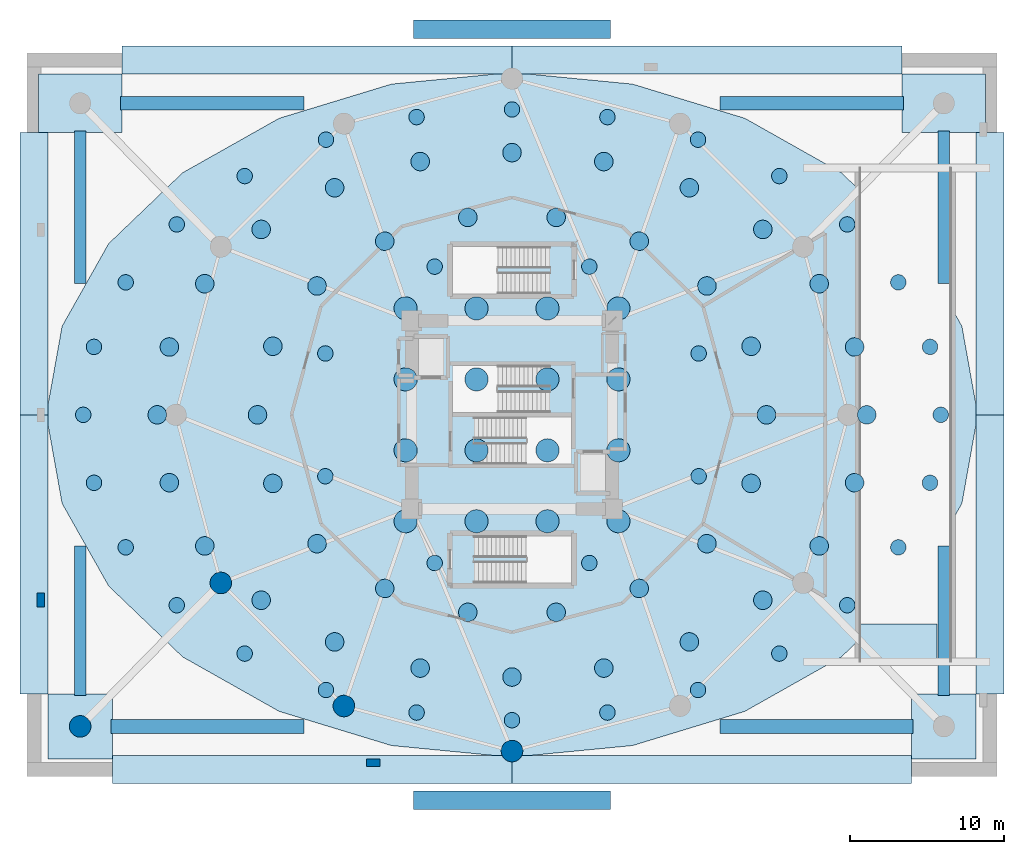
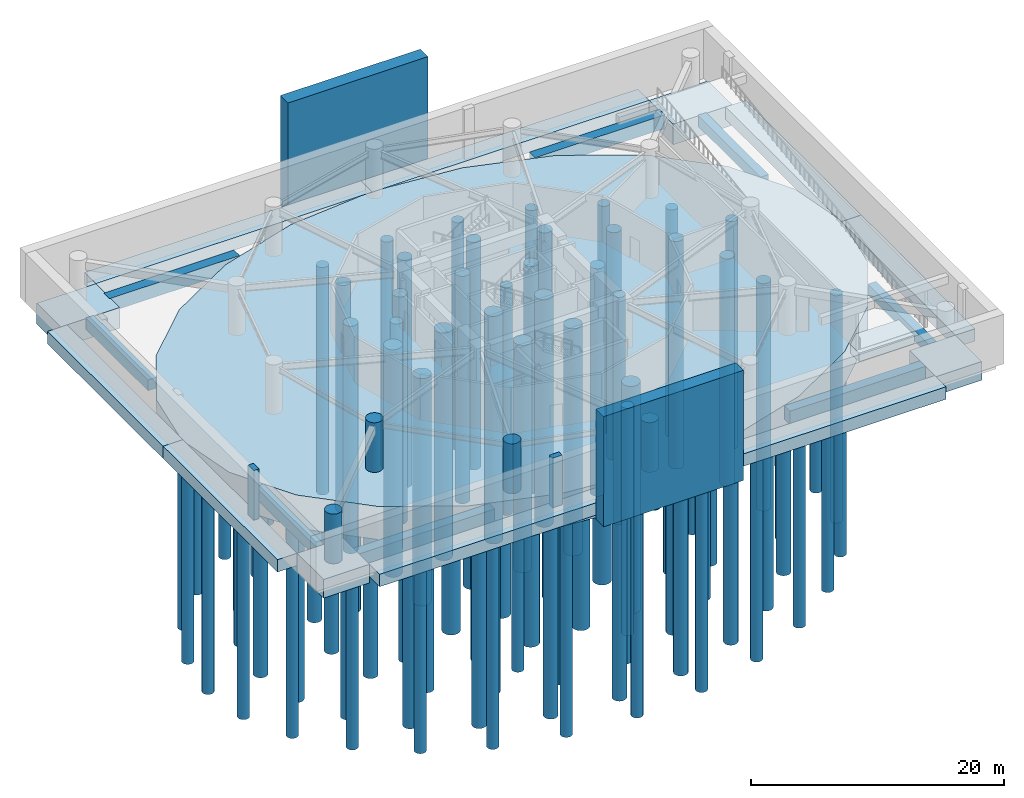
# One storey, part 1 of 12: 94 piles, 24 footings, 6 columns.
"""IFC4 building model written with IfcOpenShell, lengths in metres."""

from ifc_helpers import new_model, si_unit, direction, frame, origin, origin_2d, place, context, subcontext, project, spatial, polyline, rectangle, circle, outline, extrude, material, layer, layer_set, material_profile, profile_set, type_object, element, save


model = new_model("IFC4")

# Units and contexts
model_context = context("Model", 3, precision=1e-05, world=origin(), true_north=direction((0.0, 1.0)))
body_context = subcontext(model_context, "Body", "Model", "MODEL_VIEW")
ifc_project = project(units=[si_unit("LENGTHUNIT", "METRE"), si_unit("AREAUNIT", "SQUARE_METRE"), si_unit("VOLUMEUNIT", "CUBIC_METRE"), si_unit("PLANEANGLEUNIT", "RADIAN"), si_unit("MASSUNIT", "GRAM", prefix="KILO")], contexts=[model_context])

# Site, building, storey
site_placement = place(None, origin())
site = spatial("IfcSite", under=ifc_project, at=site_placement, CompositionType="ELEMENT")
building_placement = place(site_placement, origin())
building = spatial("IfcBuilding", under=site, at=building_placement, Name="Solvirekh Grand Hotel", CompositionType="ELEMENT")
storey_placement = place(building_placement, frame((0.0, 0.0, -9.60009765625)))
storey = spatial("IfcBuildingStorey", under=building, at=storey_placement, Name="B02", CompositionType="ELEMENT", Elevation=-9.60009765625)

# Piles
ifc_material_1 = material(Name="Concrete C50/60", Category="concrete")
ifc_material_profile_1 = material_profile(ifc_material_1, circle(Radius=0.5, at=origin_2d()), Name="BORED PILE D1000")
ifc_profile_set_1 = profile_set([ifc_material_profile_1], Name="Concrete C50/60")
pile_type_1 = type_object("IfcPileType", Name="BoredPile_D1000", PredefinedType="BORED", material=ifc_profile_set_1)
for number, where, z_axis, x_axis, name in (
    (1, (27.800048828125, 0.0, -3.099853515625), (0.0, 0.0, -1.0), (1.0, 0.0, 0.0), "Rock-socketed bored pile P-059"),
    (2, (27.10302734375, 4.406005859375, -3.099853515625), (0.0, 0.0, -1.0), (1.0, 0.0, 0.0), "Rock-socketed bored pile P-060"),
    (3, (25.047119140625, 8.591064453125, -3.099853515625), (0.0, 0.0, -1.0), (1.0, 0.0, 0.0), "Rock-socketed bored pile P-061"),
    (4, (21.735107421875, 12.344970703125, -3.099853515625), (0.0, 0.0, -1.0), (1.0, 0.0, 0.0), "Rock-socketed bored pile P-062"),
    (5, (17.3330078125, 15.47998046875, -3.099853515625), (0.0, 0.0, -1.0), (1.0, 0.0, 0.0), "Rock-socketed bored pile P-063"),
    (6, (12.06201171875, 17.839111328125, -3.099853515625), (0.0, 0.0, -1.0), (1.0, 0.0, 0.0), "Rock-socketed bored pile P-064"),
    (7, (6.18603515625, 19.303955078125, -3.099853515625), (0.0, 0.0, -1.0), (1.0, 0.0, 0.0), "Rock-socketed bored pile P-065"),
    (8, (0.0, 19.800048828125, -3.099853515625), (0.0, 0.0, -1.0), (1.0, 0.0, 0.0), "Rock-socketed bored pile P-066"),
    (9, (-6.18603515625, 19.303955078125, -3.099853515625), (0.0, 0.0, -1.0), (1.0, 0.0, 0.0), "Rock-socketed bored pile P-067"),
    (10, (-12.06201171875, 17.839111328125, -3.099853515625), (0.0, 0.0, -1.0), (1.0, 0.0, 0.0), "Rock-socketed bored pile P-068"),
    (11, (-17.3330078125, 15.47998046875, -3.099853515625), (0.0, 0.0, -1.0), (1.0, 0.0, 0.0), "Rock-socketed bored pile P-069"),
    (12, (-21.735107421875, 12.344970703125, -3.099853515625), (0.0, 0.0, -1.0), (1.0, 0.0, 0.0), "Rock-socketed bored pile P-070"),
    (13, (-25.047119140625, 8.591064453125, -3.099853515625), (0.0, 0.0, -1.0), (1.0, 0.0, 0.0), "Rock-socketed bored pile P-071"),
    (14, (-27.10302734375, 4.406005859375, -3.099853515625), (0.0, 0.0, -1.0), (1.0, 0.0, 0.0), "Rock-socketed bored pile P-072"),
    (15, (-27.800048828125, 0.0, -3.099853515625), (0.0, 0.0, -1.0), (1.0, 0.0, 0.0), "Rock-socketed bored pile P-073"),
    (16, (-27.10302734375, -4.406005859375, -3.099853515625), (0.0, 0.0, -1.0), (1.0, 0.0, 0.0), "Rock-socketed bored pile P-074"),
    (17, (-25.047119140625, -8.591064453125, -3.099853515625), (0.0, 0.0, -1.0), (1.0, 0.0, 0.0), "Rock-socketed bored pile P-075"),
    (18, (-21.735107421875, -12.344970703125, -3.099853515625), (0.0, 0.0, -1.0), (1.0, 0.0, 0.0), "Rock-socketed bored pile P-076"),
    (19, (-17.3330078125, -15.47998046875, -3.099853515625), (0.0, 0.0, -1.0), (1.0, 0.0, 0.0), "Rock-socketed bored pile P-077"),
    (20, (-12.06201171875, -17.839111328125, -3.099853515625), (0.0, 0.0, -1.0), (1.0, 0.0, 0.0), "Rock-socketed bored pile P-078"),
    (21, (-6.18603515625, -19.303955078125, -3.099853515625), (0.0, 0.0, -1.0), (1.0, 0.0, 0.0), "Rock-socketed bored pile P-079"),
    (22, (0.0, -19.800048828125, -3.099853515625), (0.0, 0.0, -1.0), (1.0, 0.0, 0.0), "Rock-socketed bored pile P-080"),
    (23, (6.18603515625, -19.303955078125, -3.099853515625), (0.0, 0.0, -1.0), (1.0, 0.0, 0.0), "Rock-socketed bored pile P-081"),
    (24, (12.06201171875, -17.839111328125, -3.099853515625), (0.0, 0.0, -1.0), (1.0, 0.0, 0.0), "Rock-socketed bored pile P-082"),
    (25, (17.3330078125, -15.47998046875, -3.099853515625), (0.0, 0.0, -1.0), (1.0, 0.0, 0.0), "Rock-socketed bored pile P-083"),
    (26, (21.735107421875, -12.344970703125, -3.099853515625), (0.0, 0.0, -1.0), (1.0, 0.0, 0.0), "Rock-socketed bored pile P-084"),
    (27, (25.047119140625, -8.591064453125, -3.099853515625), (0.0, 0.0, -1.0), (1.0, 0.0, 0.0), "Rock-socketed bored pile P-085"),
    (28, (27.10302734375, -4.406005859375, -3.099853515625), (0.0, 0.0, -1.0), (1.0, 0.0, 0.0), "Rock-socketed bored pile P-086"),
    (29, (12.10302734375, 3.97998046875, -3.099853515625), (0.0, 0.0, -1.0), (1.0, 0.0, 0.0), "Rock-socketed bored pile P-087"),
    (30, (5.012939453125, 9.60791015625, -3.099853515625), (0.0, 0.0, -1.0), (1.0, 0.0, 0.0), "Rock-socketed bored pile P-088"),
    (31, (-5.012939453125, 9.60791015625, -3.099853515625), (0.0, 0.0, -1.0), (1.0, 0.0, 0.0), "Rock-socketed bored pile P-089"),
    (32, (-12.10302734375, 3.97998046875, -3.099853515625), (0.0, 0.0, -1.0), (1.0, 0.0, 0.0), "Rock-socketed bored pile P-090"),
    (33, (-12.10302734375, -3.97998046875, -3.099853515625), (0.0, 0.0, -1.0), (1.0, 0.0, 0.0), "Rock-socketed bored pile P-091"),
    (34, (-5.012939453125, -9.60791015625, -3.099853515625), (0.0, 0.0, -1.0), (1.0, 0.0, 0.0), "Rock-socketed bored pile P-092"),
    (35, (5.012939453125, -9.60791015625, -3.099853515625), (0.0, 0.0, -1.0), (1.0, 0.0, 0.0), "Rock-socketed bored pile P-093"),
    (36, (12.10302734375, -3.97998046875, -3.099853515625), (0.0, 0.0, -1.0), (1.0, 0.0, 0.0), "Rock-socketed bored pile P-094"),
):
    element("IfcPile", number, at=place(storey_placement, frame(where, z_axis=z_axis, x_axis=x_axis)), inside=storey, type_object=pile_type_1, Name=name, PredefinedType="BORED", context=body_context, shape_type="SweptSolid", body=[
        extrude(circle(Radius=0.5, at=origin_2d()), origin(), (0.0, 0.0, 1.0), 22.0),
    ])
ifc_material_profile_2 = material_profile(ifc_material_1, circle(Radius=0.60009765625, at=origin_2d()), Name="BORED PILE D1200")
ifc_profile_set_2 = profile_set([ifc_material_profile_2], Name="Concrete C50/60")
pile_type_2 = type_object("IfcPileType", Name="BoredPile_D1200", PredefinedType="BORED", material=ifc_profile_set_2)
for number, where, z_axis, x_axis, name in (
    (37, (16.5, 0.0, -3.099853515625), (0.0, 0.0, -1.0), (1.0, 0.0, 0.0), "Rock-socketed bored pile P-017"),
    (38, (15.5048828125, 4.446044921875, -3.099853515625), (0.0, 0.0, -1.0), (1.0, 0.0, 0.0), "Rock-socketed bored pile P-018"),
    (39, (12.639892578125, 8.35595703125, -3.099853515625), (0.0, 0.0, -1.0), (1.0, 0.0, 0.0), "Rock-socketed bored pile P-019"),
    (40, (8.25, 11.258056640625, -3.099853515625), (0.0, 0.0, -1.0), (1.0, 0.0, 0.0), "Rock-socketed bored pile P-020"),
    (41, (2.864990234375, 12.802978515625, -3.099853515625), (0.0, 0.0, -1.0), (1.0, 0.0, 0.0), "Rock-socketed bored pile P-021"),
    (42, (-2.864990234375, 12.802978515625, -3.099853515625), (0.0, 0.0, -1.0), (1.0, 0.0, 0.0), "Rock-socketed bored pile P-022"),
    (43, (-8.25, 11.258056640625, -3.099853515625), (0.0, 0.0, -1.0), (1.0, 0.0, 0.0), "Rock-socketed bored pile P-023"),
    (44, (-12.639892578125, 8.35595703125, -3.099853515625), (0.0, 0.0, -1.0), (1.0, 0.0, 0.0), "Rock-socketed bored pile P-024"),
    (45, (-15.5048828125, 4.446044921875, -3.099853515625), (0.0, 0.0, -1.0), (1.0, 0.0, 0.0), "Rock-socketed bored pile P-025"),
    (46, (-16.5, 0.0, -3.099853515625), (0.0, 0.0, -1.0), (1.0, 0.0, 0.0), "Rock-socketed bored pile P-026"),
    (47, (-15.5048828125, -4.446044921875, -3.099853515625), (0.0, 0.0, -1.0), (1.0, 0.0, 0.0), "Rock-socketed bored pile P-027"),
    (48, (-12.639892578125, -8.35595703125, -3.099853515625), (0.0, 0.0, -1.0), (1.0, 0.0, 0.0), "Rock-socketed bored pile P-028"),
    (49, (-8.25, -11.258056640625, -3.099853515625), (0.0, 0.0, -1.0), (1.0, 0.0, 0.0), "Rock-socketed bored pile P-029"),
    (50, (-2.864990234375, -12.802978515625, -3.099853515625), (0.0, 0.0, -1.0), (1.0, 0.0, 0.0), "Rock-socketed bored pile P-030"),
    (51, (2.864990234375, -12.802978515625, -3.099853515625), (0.0, 0.0, -1.0), (1.0, 0.0, 0.0), "Rock-socketed bored pile P-031"),
    (52, (8.25, -11.258056640625, -3.099853515625), (0.0, 0.0, -1.0), (1.0, 0.0, 0.0), "Rock-socketed bored pile P-032"),
    (53, (12.639892578125, -8.35595703125, -3.099853515625), (0.0, 0.0, -1.0), (1.0, 0.0, 0.0), "Rock-socketed bored pile P-033"),
    (54, (15.5048828125, -4.446044921875, -3.099853515625), (0.0, 0.0, -1.0), (1.0, 0.0, 0.0), "Rock-socketed bored pile P-034"),
    (55, (23.0, 0.0, -3.099853515625), (0.0, 0.0, -1.0), (1.0, 0.0, 0.0), "Rock-socketed bored pile P-035"),
    (56, (22.216064453125, 4.39990234375, -3.099853515625), (0.0, 0.0, -1.0), (1.0, 0.0, 0.0), "Rock-socketed bored pile P-036"),
    (57, (19.9189453125, 8.5, -3.099853515625), (0.0, 0.0, -1.0), (1.0, 0.0, 0.0), "Rock-socketed bored pile P-037"),
    (58, (16.262939453125, 12.02099609375, -3.099853515625), (0.0, 0.0, -1.0), (1.0, 0.0, 0.0), "Rock-socketed bored pile P-038"),
    (59, (11.5, 14.721923828125, -3.099853515625), (0.0, 0.0, -1.0), (1.0, 0.0, 0.0), "Rock-socketed bored pile P-039"),
    (60, (5.952880859375, 16.4208984375, -3.099853515625), (0.0, 0.0, -1.0), (1.0, 0.0, 0.0), "Rock-socketed bored pile P-040"),
    (61, (0.0, 17.0, -3.099853515625), (0.0, 0.0, -1.0), (1.0, 0.0, 0.0), "Rock-socketed bored pile P-041"),
    (62, (-5.952880859375, 16.4208984375, -3.099853515625), (0.0, 0.0, -1.0), (1.0, 0.0, 0.0), "Rock-socketed bored pile P-042"),
    (63, (-11.5, 14.721923828125, -3.099853515625), (0.0, 0.0, -1.0), (1.0, 0.0, 0.0), "Rock-socketed bored pile P-043"),
    (64, (-16.262939453125, 12.02099609375, -3.099853515625), (0.0, 0.0, -1.0), (1.0, 0.0, 0.0), "Rock-socketed bored pile P-044"),
    (65, (-19.9189453125, 8.5, -3.099853515625), (0.0, 0.0, -1.0), (1.0, 0.0, 0.0), "Rock-socketed bored pile P-045"),
    (66, (-22.216064453125, 4.39990234375, -3.099853515625), (0.0, 0.0, -1.0), (1.0, 0.0, 0.0), "Rock-socketed bored pile P-046"),
    (67, (-23.0, 0.0, -3.099853515625), (0.0, 0.0, -1.0), (1.0, 0.0, 0.0), "Rock-socketed bored pile P-047"),
    (68, (-22.216064453125, -4.39990234375, -3.099853515625), (0.0, 0.0, -1.0), (1.0, 0.0, 0.0), "Rock-socketed bored pile P-048"),
    (69, (-19.9189453125, -8.5, -3.099853515625), (0.0, 0.0, -1.0), (1.0, 0.0, 0.0), "Rock-socketed bored pile P-049"),
    (70, (-16.262939453125, -12.02099609375, -3.099853515625), (0.0, 0.0, -1.0), (1.0, 0.0, 0.0), "Rock-socketed bored pile P-050"),
    (71, (-11.5, -14.721923828125, -3.099853515625), (0.0, 0.0, -1.0), (1.0, 0.0, 0.0), "Rock-socketed bored pile P-051"),
    (72, (-5.952880859375, -16.4208984375, -3.099853515625), (0.0, 0.0, -1.0), (1.0, 0.0, 0.0), "Rock-socketed bored pile P-052"),
    (73, (0.0, -17.0, -3.099853515625), (0.0, 0.0, -1.0), (1.0, 0.0, 0.0), "Rock-socketed bored pile P-053"),
    (74, (5.952880859375, -16.4208984375, -3.099853515625), (0.0, 0.0, -1.0), (1.0, 0.0, 0.0), "Rock-socketed bored pile P-054"),
    (75, (11.5, -14.721923828125, -3.099853515625), (0.0, 0.0, -1.0), (1.0, 0.0, 0.0), "Rock-socketed bored pile P-055"),
    (76, (16.262939453125, -12.02099609375, -3.099853515625), (0.0, 0.0, -1.0), (1.0, 0.0, 0.0), "Rock-socketed bored pile P-056"),
    (77, (19.9189453125, -8.5, -3.099853515625), (0.0, 0.0, -1.0), (1.0, 0.0, 0.0), "Rock-socketed bored pile P-057"),
    (78, (22.216064453125, -4.39990234375, -3.099853515625), (0.0, 0.0, -1.0), (1.0, 0.0, 0.0), "Rock-socketed bored pile P-058"),
):
    element("IfcPile", number, at=place(storey_placement, frame(where, z_axis=z_axis, x_axis=x_axis)), inside=storey, type_object=pile_type_2, Name=name, PredefinedType="BORED", context=body_context, shape_type="SweptSolid", body=[
        extrude(circle(Radius=0.60009765625, at=origin_2d()), origin(), (0.0, 0.0, 1.0), 22.0),
    ])
ifc_material_profile_3 = material_profile(ifc_material_1, circle(Radius=0.75, at=origin_2d()), Name="BORED PILE D1500")
ifc_profile_set_3 = profile_set([ifc_material_profile_3], Name="Concrete C50/60")
pile_type_3 = type_object("IfcPileType", Name="BoredPile_D1500", PredefinedType="BORED", material=ifc_profile_set_3)
for number, where, z_axis, x_axis, name in (
    (79, (-6.89990234375, -6.89990234375, -3.099853515625), (0.0, 0.0, -1.0), (1.0, 0.0, 0.0), "Rock-socketed bored pile P-001"),
    (80, (-6.89990234375, -2.300048828125, -3.099853515625), (0.0, 0.0, -1.0), (1.0, 0.0, 0.0), "Rock-socketed bored pile P-002"),
    (81, (-6.89990234375, 2.300048828125, -3.099853515625), (0.0, 0.0, -1.0), (1.0, 0.0, 0.0), "Rock-socketed bored pile P-003"),
    (82, (-6.89990234375, 6.89990234375, -3.099853515625), (0.0, 0.0, -1.0), (1.0, 0.0, 0.0), "Rock-socketed bored pile P-004"),
    (83, (-2.300048828125, -6.89990234375, -3.099853515625), (0.0, 0.0, -1.0), (1.0, 0.0, 0.0), "Rock-socketed bored pile P-005"),
    (84, (-2.300048828125, -2.300048828125, -3.099853515625), (0.0, 0.0, -1.0), (1.0, 0.0, 0.0), "Rock-socketed bored pile P-006"),
    (85, (-2.300048828125, 2.300048828125, -3.099853515625), (0.0, 0.0, -1.0), (1.0, 0.0, 0.0), "Rock-socketed bored pile P-007"),
    (86, (-2.300048828125, 6.89990234375, -3.099853515625), (0.0, 0.0, -1.0), (1.0, 0.0, 0.0), "Rock-socketed bored pile P-008"),
    (87, (2.300048828125, -6.89990234375, -3.099853515625), (0.0, 0.0, -1.0), (1.0, 0.0, 0.0), "Rock-socketed bored pile P-009"),
    (88, (2.300048828125, -2.300048828125, -3.099853515625), (0.0, 0.0, -1.0), (1.0, 0.0, 0.0), "Rock-socketed bored pile P-010"),
    (89, (2.300048828125, 2.300048828125, -3.099853515625), (0.0, 0.0, -1.0), (1.0, 0.0, 0.0), "Rock-socketed bored pile P-011"),
    (90, (2.300048828125, 6.89990234375, -3.099853515625), (0.0, 0.0, -1.0), (1.0, 0.0, 0.0), "Rock-socketed bored pile P-012"),
    (91, (6.89990234375, -6.89990234375, -3.099853515625), (0.0, 0.0, -1.0), (1.0, 0.0, 0.0), "Rock-socketed bored pile P-013"),
    (92, (6.89990234375, -2.300048828125, -3.099853515625), (0.0, 0.0, -1.0), (1.0, 0.0, 0.0), "Rock-socketed bored pile P-014"),
    (93, (6.89990234375, 2.300048828125, -3.099853515625), (0.0, 0.0, -1.0), (1.0, 0.0, 0.0), "Rock-socketed bored pile P-015"),
    (94, (6.89990234375, 6.89990234375, -3.099853515625), (0.0, 0.0, -1.0), (1.0, 0.0, 0.0), "Rock-socketed bored pile P-016"),
):
    element("IfcPile", number, at=place(storey_placement, frame(where, z_axis=z_axis, x_axis=x_axis)), inside=storey, type_object=pile_type_3, Name=name, PredefinedType="BORED", context=body_context, shape_type="SweptSolid", body=[
        extrude(circle(Radius=0.75, at=origin_2d()), origin(), (0.0, 0.0, 1.0), 22.0),
    ])

# Footings
ifc_layer_1 = layer(ifc_material_1, 1.300048828125)
ifc_layer_set_1 = layer_set([ifc_layer_1], Name="Concrete C50/60")
footing_type_1 = type_object("IfcFootingType", Name="FootingBeam_GB1000", PredefinedType="FOOTING_BEAM", material=ifc_layer_set_1)
footing_1_placement = place(storey_placement, frame((0.0, 0.0, -1.2998046875)))
element("IfcFooting", 95, at=footing_1_placement, inside=storey, type_object=footing_type_1, Name="Foundation tie beam GB-NW-X", PredefinedType="FOOTING_BEAM", context=body_context, shape_type="SweptSolid", body=[
    extrude(outline(polyline([(-25.39990234375, 19.75), (-13.5, 19.75), (-13.5, 20.64990234375), (-25.39990234375, 20.64990234375), (-25.39990234375, 19.75)])), origin(), (0.0, 0.0, 1.0), 1.2998046875),
])
footing_2_placement = place(storey_placement, frame((0.0, 0.0, -1.2998046875)))
element("IfcFooting", 96, at=footing_2_placement, inside=storey, type_object=footing_type_1, Name="Foundation tie beam GB-NE-X", PredefinedType="FOOTING_BEAM", context=body_context, shape_type="SweptSolid", body=[
    extrude(outline(polyline([(13.5, 19.75), (25.39990234375, 19.75), (25.39990234375, 20.64990234375), (13.5, 20.64990234375), (13.5, 19.75)])), origin(), (0.0, 0.0, 1.0), 1.2998046875),
])
footing_3_placement = place(storey_placement, frame((0.0, 0.0, -1.2998046875)))
element("IfcFooting", 97, at=footing_3_placement, inside=storey, type_object=footing_type_1, Name="Foundation tie beam GB-SW-X", PredefinedType="FOOTING_BEAM", context=body_context, shape_type="SweptSolid", body=[
    extrude(outline(polyline([(-26.0, -20.64990234375), (-13.5, -20.64990234375), (-13.5, -19.75), (-26.0, -19.75), (-26.0, -20.64990234375)])), origin(), (0.0, 0.0, 1.0), 1.2998046875),
])
footing_4_placement = place(storey_placement, frame((0.0, 0.0, -1.2998046875)))
element("IfcFooting", 98, at=footing_4_placement, inside=storey, type_object=footing_type_1, Name="Foundation tie beam GB-SE-X", PredefinedType="FOOTING_BEAM", context=body_context, shape_type="SweptSolid", body=[
    extrude(outline(polyline([(13.5, -20.64990234375), (26.0, -20.64990234375), (26.0, -19.75), (13.5, -19.75), (13.5, -20.64990234375)])), origin(), (0.0, 0.0, 1.0), 1.2998046875),
])
ifc_layer_2 = layer(ifc_material_1, 1.050048828125)
ifc_layer_set_2 = layer_set([ifc_layer_2], Name="Concrete C50/60")
footing_type_2 = type_object("IfcFootingType", Name="FootingBeam_GB800", PredefinedType="FOOTING_BEAM", material=ifc_layer_set_2)
footing_5_placement = place(storey_placement, frame((0.0, 0.0, -1.0498046875)))
element("IfcFooting", 99, at=footing_5_placement, inside=storey, type_object=footing_type_2, Name="Foundation tie beam GB-NW-Y", PredefinedType="FOOTING_BEAM", context=body_context, shape_type="SweptSolid", body=[
    extrude(outline(polyline([(-28.375, 8.5), (-27.625, 8.5), (-27.625, 18.39990234375), (-28.375, 18.39990234375), (-28.375, 8.5)])), origin(), (0.0, 0.0, 1.0), 1.0498046875),
])
footing_6_placement = place(storey_placement, frame((0.0, 0.0, -1.0498046875)))
element("IfcFooting", 100, at=footing_6_placement, inside=storey, type_object=footing_type_2, Name="Foundation tie beam GB-NE-Y", PredefinedType="FOOTING_BEAM", context=body_context, shape_type="SweptSolid", body=[
    extrude(outline(polyline([(27.625, 8.5), (28.375, 8.5), (28.375, 18.39990234375), (27.625, 18.39990234375), (27.625, 8.5)])), origin(), (0.0, 0.0, 1.0), 1.0498046875),
])
footing_7_placement = place(storey_placement, frame((0.0, 0.0, -1.0498046875)))
element("IfcFooting", 101, at=footing_7_placement, inside=storey, type_object=footing_type_2, Name="Foundation tie beam GB-SW-Y", PredefinedType="FOOTING_BEAM", context=body_context, shape_type="SweptSolid", body=[
    extrude(outline(polyline([(-28.375, -18.199951171875), (-27.625, -18.199951171875), (-27.625, -8.5), (-28.375, -8.5), (-28.375, -18.199951171875)])), origin(), (0.0, 0.0, 1.0), 1.0498046875),
])
footing_8_placement = place(storey_placement, frame((0.0, 0.0, -1.0498046875)))
element("IfcFooting", 102, at=footing_8_placement, inside=storey, type_object=footing_type_2, Name="Foundation tie beam GB-SE-Y", PredefinedType="FOOTING_BEAM", context=body_context, shape_type="SweptSolid", body=[
    extrude(outline(polyline([(27.625, -18.199951171875), (28.375, -18.199951171875), (28.375, -8.5), (27.625, -8.5), (27.625, -18.199951171875)])), origin(), (0.0, 0.0, 1.0), 1.0498046875),
])
ifc_layer_3 = layer(ifc_material_1, 1.800048828125)
ifc_layer_set_3 = layer_set([ifc_layer_3], Name="Concrete C50/60")
footing_type_3 = type_object("IfcFootingType", Name="PileCap_Pod4_1800", PredefinedType="PILE_CAP", material=ifc_layer_set_3)
for number, where, z_axis, x_axis, name in (
    (103, (-28.0, -20.199951171875, -1.7998046875), (0.0, 0.0, 1.0), (1.0, 0.0, 0.0), "Basement corner cap PC-SW"),
    (104, (28.0, -20.199951171875, -1.7998046875), (0.0, 0.0, 1.0), (1.0, 0.0, 0.0), "Basement corner cap PC-SE"),
):
    element("IfcFooting", number, at=place(storey_placement, frame(where, z_axis=z_axis, x_axis=x_axis)), inside=storey, type_object=footing_type_3, Name=name, PredefinedType="PILE_CAP", context=body_context, shape_type="SweptSolid", body=[
        extrude(rectangle(XDim=4.199951171875, YDim=4.199951171875, at=origin_2d()), origin(), (0.0, 0.0, 1.0), 1.800048828125),
    ])
ifc_layer_4 = layer(ifc_material_1, 2.0)
ifc_layer_set_4 = layer_set([ifc_layer_4], Name="Concrete C50/60")
footing_type_4 = type_object("IfcFootingType", Name="PileCap_Pod6_2000", PredefinedType="PILE_CAP", material=ifc_layer_set_4)
for number, where, z_axis, x_axis, name in (
    (105, (-28.0, 20.199951171875, -2.0), (0.0, 0.0, 1.0), (1.0, 0.0, 0.0), "Basement corner cap PC-NW"),
    (106, (28.0, 20.199951171875, -2.0), (0.0, 0.0, 1.0), (1.0, 0.0, 0.0), "Basement corner cap PC-NE"),
):
    element("IfcFooting", number, at=place(storey_placement, frame(where, z_axis=z_axis, x_axis=x_axis)), inside=storey, type_object=footing_type_4, Name=name, PredefinedType="PILE_CAP", context=body_context, shape_type="SweptSolid", body=[
        extrude(rectangle(XDim=5.39990234375, YDim=3.800048828125, at=origin_2d()), origin(), (0.0, 0.0, 1.0), 2.0),
    ])
ifc_material_2 = material(Name="Concrete C60/75", Category="concrete")
ifc_layer_5 = layer(ifc_material_2, 3.199951171875)
ifc_layer_set_5 = layer_set([ifc_layer_5], Name="Concrete C60/75")
footing_type_5 = type_object("IfcFootingType", Name="PiledRaft_Tower_3200", PredefinedType="PILE_CAP", material=ifc_layer_set_5)
footing_9_placement = place(storey_placement, frame((0.0, 0.0, -3.199951171875)))
element("IfcFooting", 107, at=footing_9_placement, inside=storey, type_object=footing_type_5, Name="Tower piled raft FT01", PredefinedType="PILE_CAP", context=body_context, shape_type="SweptSolid", body=[
    extrude(outline(polyline([(30.199951171875, 0.0), (29.1708984375, 5.74609375), (26.154052734375, 11.10009765625), (21.35498046875, 15.697998046875), (15.10009765625, 19.22607421875), (7.81591796875, 21.444091796875), (0.0, 22.199951171875), (-7.81591796875, 21.444091796875), (-15.10009765625, 19.22607421875), (-21.35498046875, 15.697998046875), (-26.154052734375, 11.10009765625), (-29.1708984375, 5.74609375), (-30.199951171875, 0.0), (-29.1708984375, -5.74609375), (-26.154052734375, -11.10009765625), (-21.35498046875, -15.697998046875), (-15.10009765625, -19.22607421875), (-7.81591796875, -21.444091796875), (0.0, -22.199951171875), (7.81591796875, -21.444091796875), (15.10009765625, -19.22607421875), (21.35498046875, -15.697998046875), (26.154052734375, -11.10009765625), (29.1708984375, -5.74609375), (30.199951171875, 0.0)])), origin(), (0.0, 0.0, 1.0), 3.199951171875),
])
ifc_layer_6 = layer(ifc_material_1, 1.199951171875)
ifc_layer_set_6 = layer_set([ifc_layer_6], Name="Concrete C50/60")
footing_type_6 = type_object("IfcFootingType", Name="StripFooting_Wall_1200", PredefinedType="STRIP_FOOTING", material=ifc_layer_set_6)
footing_10_placement = place(storey_placement, frame((0.0, 0.0, -1.199951171875)))
element("IfcFooting", 108, at=footing_10_placement, inside=storey, type_object=footing_type_6, Name="Perimeter retaining strip footing SF-N1", PredefinedType="STRIP_FOOTING", context=body_context, shape_type="SweptSolid", body=[
    extrude(outline(polyline([(-25.300048828125, 22.10009765625), (0.0, 22.10009765625), (0.0, 23.89990234375), (-25.300048828125, 23.89990234375), (-25.300048828125, 22.10009765625)])), origin(), (0.0, 0.0, 1.0), 1.199951171875),
])
footing_11_placement = place(storey_placement, frame((0.0, 0.0, -1.199951171875)))
element("IfcFooting", 109, at=footing_11_placement, inside=storey, type_object=footing_type_6, Name="Perimeter retaining strip footing SF-N2", PredefinedType="STRIP_FOOTING", context=body_context, shape_type="SweptSolid", body=[
    extrude(outline(polyline([(0.0, 22.10009765625), (25.300048828125, 22.10009765625), (25.300048828125, 23.89990234375), (0.0, 23.89990234375), (0.0, 22.10009765625)])), origin(), (0.0, 0.0, 1.0), 1.199951171875),
])
footing_12_placement = place(storey_placement, frame((0.0, 0.0, -1.199951171875)))
element("IfcFooting", 110, at=footing_12_placement, inside=storey, type_object=footing_type_6, Name="Perimeter retaining strip footing SF-S1", PredefinedType="STRIP_FOOTING", context=body_context, shape_type="SweptSolid", body=[
    extrude(outline(polyline([(-25.89990234375, -23.89990234375), (0.0, -23.89990234375), (0.0, -22.10009765625), (-25.89990234375, -22.10009765625), (-25.89990234375, -23.89990234375)])), origin(), (0.0, 0.0, 1.0), 1.199951171875),
])
footing_13_placement = place(storey_placement, frame((0.0, 0.0, -1.199951171875)))
element("IfcFooting", 111, at=footing_13_placement, inside=storey, type_object=footing_type_6, Name="Perimeter retaining strip footing SF-S2", PredefinedType="STRIP_FOOTING", context=body_context, shape_type="SweptSolid", body=[
    extrude(outline(polyline([(0.0, -23.89990234375), (25.89990234375, -23.89990234375), (25.89990234375, -22.10009765625), (0.0, -22.10009765625), (0.0, -23.89990234375)])), origin(), (0.0, 0.0, 1.0), 1.199951171875),
])
footing_14_placement = place(storey_placement, frame((0.0, 0.0, -1.199951171875)))
element("IfcFooting", 112, at=footing_14_placement, inside=storey, type_object=footing_type_6, Name="Perimeter retaining strip footing SF-W1", PredefinedType="STRIP_FOOTING", context=body_context, shape_type="SweptSolid", body=[
    extrude(outline(polyline([(-31.89990234375, -18.10009765625), (-30.10009765625, -18.10009765625), (-30.10009765625, 0.0), (-31.89990234375, 0.0), (-31.89990234375, -18.10009765625)])), origin(), (0.0, 0.0, 1.0), 1.199951171875),
])
footing_15_placement = place(storey_placement, frame((0.0, 0.0, -1.199951171875)))
element("IfcFooting", 113, at=footing_15_placement, inside=storey, type_object=footing_type_6, Name="Perimeter retaining strip footing SF-W2", PredefinedType="STRIP_FOOTING", context=body_context, shape_type="SweptSolid", body=[
    extrude(outline(polyline([(-31.89990234375, 0.0), (-30.10009765625, 0.0), (-30.10009765625, 18.300048828125), (-31.89990234375, 18.300048828125), (-31.89990234375, 0.0)])), origin(), (0.0, 0.0, 1.0), 1.199951171875),
])
footing_16_placement = place(storey_placement, frame((0.0, 0.0, -1.199951171875)))
element("IfcFooting", 114, at=footing_16_placement, inside=storey, type_object=footing_type_6, Name="Perimeter retaining strip footing SF-E1", PredefinedType="STRIP_FOOTING", context=body_context, shape_type="SweptSolid", body=[
    extrude(outline(polyline([(30.10009765625, -18.10009765625), (31.89990234375, -18.10009765625), (31.89990234375, 0.0), (30.10009765625, 0.0), (30.10009765625, -18.10009765625)])), origin(), (0.0, 0.0, 1.0), 1.199951171875),
])
footing_17_placement = place(storey_placement, frame((0.0, 0.0, -1.199951171875)))
element("IfcFooting", 115, at=footing_17_placement, inside=storey, type_object=footing_type_6, Name="Perimeter retaining strip footing SF-E2", PredefinedType="STRIP_FOOTING", context=body_context, shape_type="SweptSolid", body=[
    extrude(outline(polyline([(30.10009765625, 0.0), (31.89990234375, 0.0), (31.89990234375, 18.300048828125), (30.10009765625, 18.300048828125), (30.10009765625, 0.0)])), origin(), (0.0, 0.0, 1.0), 1.199951171875),
])
footing_18_placement = place(storey_placement, frame((0.0, 0.0, -1.199951171875)))
element("IfcFooting", 116, at=footing_18_placement, inside=storey, type_object=footing_type_6, Name="B02 vehicle ramp R1 bottom threshold foundation pad", PredefinedType="STRIP_FOOTING", context=body_context, shape_type="SweptSolid", body=[
    extrude(outline(polyline([(22.5, -16.0), (27.550048828125, -16.0), (27.550048828125, -13.550048828125), (22.5, -13.550048828125), (22.5, -16.0)])), origin(), (0.0, 0.0, 1.0), 0.840087890625),
])
footing_19_placement = place(storey_placement, frame((0.0, 0.0, -1.199951171875)))
element("IfcFooting", 117, at=footing_19_placement, inside=storey, type_object=footing_type_6, Name="Entrance ramp threshold foundation pier FD-ACC-S", PredefinedType="STRIP_FOOTING", context=body_context, shape_type="SweptSolid", body=[
    extrude(outline(polyline([(-6.39990234375, -25.60009765625), (6.39990234375, -25.60009765625), (6.39990234375, -24.39990234375), (-6.39990234375, -24.39990234375), (-6.39990234375, -25.60009765625)])), origin(), (0.0, 0.0, 1.0), 10.650146484375),
])
footing_20_placement = place(storey_placement, frame((0.0, 0.0, -1.199951171875)))
element("IfcFooting", 118, at=footing_20_placement, inside=storey, type_object=footing_type_6, Name="Entrance ramp threshold foundation pier FD-ACC-N", PredefinedType="STRIP_FOOTING", context=body_context, shape_type="SweptSolid", body=[
    extrude(outline(polyline([(-6.39990234375, 24.39990234375), (6.39990234375, 24.39990234375), (6.39990234375, 25.60009765625), (-6.39990234375, 25.60009765625), (-6.39990234375, 24.39990234375)])), origin(), (0.0, 0.0, 1.0), 10.650146484375),
])

# Columns
ifc_material_profile_4 = material_profile(ifc_material_2, circle(Radius=0.699951171875, at=origin_2d()), Name="RC CIRC D1400")
ifc_profile_set_4 = profile_set([ifc_material_profile_4], Name="Concrete C60/75")
column_type_1 = type_object("IfcColumnType", Name="Col_Base_D1400", PredefinedType="COLUMN", material=ifc_profile_set_4)
for number, where, z_axis, x_axis, name in (
    (119, (-18.87890625, -10.89990234375, 0.0), (0.0, 0.0, 1.0), (1.0, 0.0, 0.0), "B02 perimeter column P08"),
    (120, (-10.89990234375, -18.87890625, 0.0), (0.0, 0.0, 1.0), (1.0, 0.0, 0.0), "B02 perimeter column P09"),
    (121, (0.0, -21.800048828125, 0.0), (0.0, 0.0, 1.0), (1.0, 0.0, 0.0), "B02 perimeter column P10"),
    (122, (-28.0, -20.199951171875, 0.0), (0.0, 0.0, 1.0), (1.0, 0.0, 0.0), "B02 basement corner column BC-SW"),
):
    element("IfcColumn", number, at=place(storey_placement, frame(where, z_axis=z_axis, x_axis=x_axis)), inside=storey, type_object=column_type_1, Name=name, PredefinedType="COLUMN", context=body_context, shape_type="SweptSolid", body=[
        extrude(circle(Radius=0.699951171875, at=origin_2d()), origin(), (0.0, 0.0, 1.0), 4.800048828125),
    ])
ifc_material_profile_5 = material_profile(ifc_material_1, rectangle(XDim=0.5, YDim=0.89990234375, at=origin_2d()), Name="RC PILASTER 900X500")
ifc_profile_set_5 = profile_set([ifc_material_profile_5], Name="Concrete C50/60")
column_type_2 = type_object("IfcColumnType", Name="Pilaster_900X500", PredefinedType="PILASTER", material=ifc_profile_set_5)
for number, where, z_axis, x_axis, name in (
    (123, (-30.550048828125, -12.0, 0.0), (0.0, 0.0, 1.0), (1.0, 0.0, 0.0), "B02 retaining wall pilaster 1"),
    (124, (-9.0, -22.550048828125, 0.0), (0.0, 0.0, 1.0), (0.0, 1.0, 0.0), "B02 retaining wall pilaster 6"),
):
    element("IfcColumn", number, at=place(storey_placement, frame(where, z_axis=z_axis, x_axis=x_axis)), inside=storey, type_object=column_type_2, Name=name, PredefinedType="PILASTER", context=body_context, shape_type="SweptSolid", body=[
        extrude(rectangle(XDim=0.5, YDim=0.89990234375, at=origin_2d()), origin(), (0.0, 0.0, 1.0), 4.800048828125),
    ])

save(model, "model.ifc")
